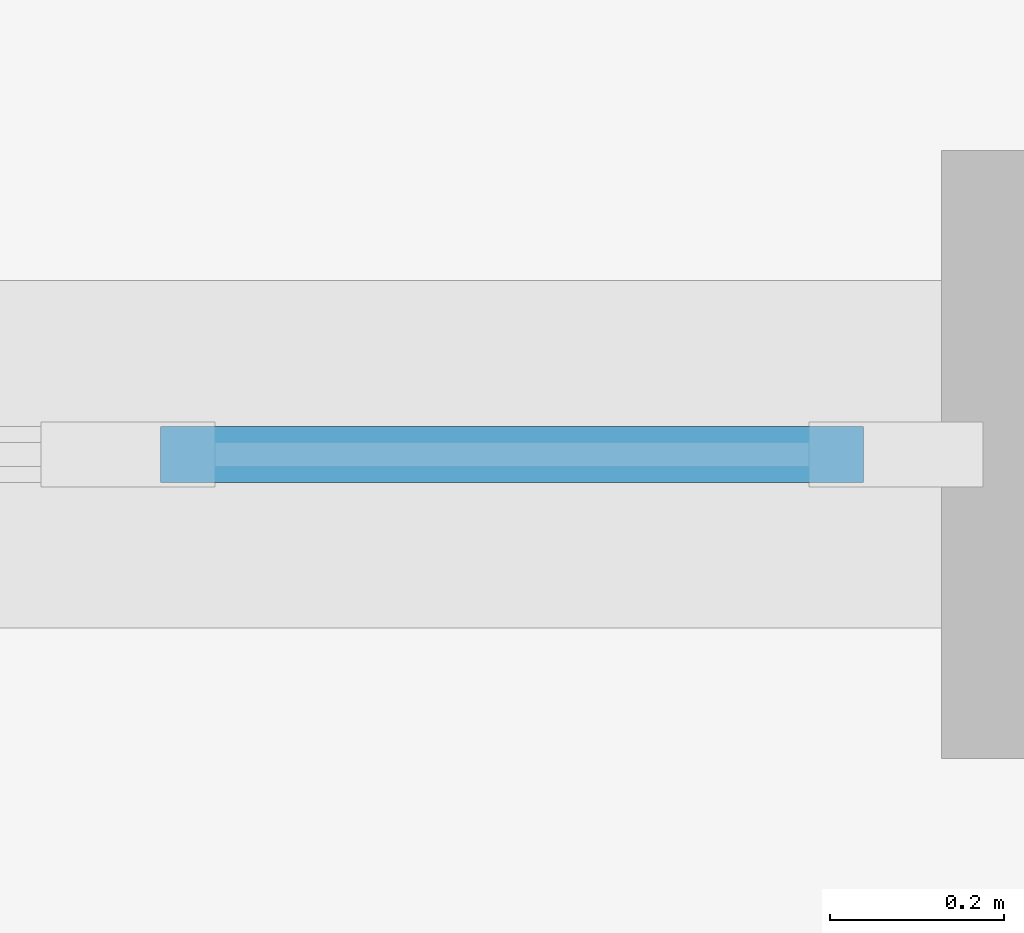
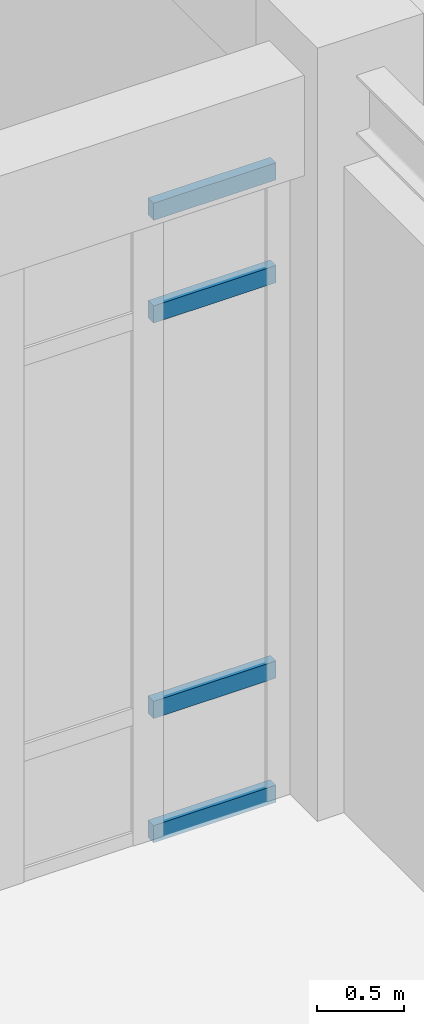
# One storey, part 27 of 62: 4 members, 1 element without a shape of its own.
"""IFC4 building model written with IfcOpenShell, lengths in metres."""

from ifc_helpers import new_model, si_unit, direction, frame, origin, origin_2d, place, context, subcontext, project, spatial, rectangle, extrude, material, material_profile, profile_set, type_object, element, aggregate, save


model = new_model("IFC4")

# Units and contexts
model_context = context("Model", 3, precision=1e-05, world=origin(), true_north=direction((0.0, 1.0)))
body_context = subcontext(model_context, "Body", "Model", "MODEL_VIEW")
ifc_project = project(units=[si_unit("LENGTHUNIT", "METRE"), si_unit("AREAUNIT", "SQUARE_METRE"), si_unit("VOLUMEUNIT", "CUBIC_METRE"), si_unit("PLANEANGLEUNIT", "RADIAN"), si_unit("MASSUNIT", "GRAM", prefix="KILO")], contexts=[model_context])

# Site, building, storey
site_placement = place(None, origin())
site = spatial("IfcSite", under=ifc_project, at=site_placement, CompositionType="ELEMENT")
building_placement = place(site_placement, origin())
building = spatial("IfcBuilding", under=site, at=building_placement, Name="Tarnveldt Square Police Headquarters", CompositionType="ELEMENT")
storey_placement = place(building_placement, origin())
storey = spatial("IfcBuildingStorey", under=building, at=storey_placement, Name="L00", CompositionType="ELEMENT", Elevation=0.0)

# Curtain wall, members
ifc_material_1 = material(Name="Triple-glazed low-e laminated vision glass", Category="glass")
curtain_wall_type = type_object("IfcCurtainWallType", Name="CW-LB-737x441", PredefinedType="USERDEFINED", material=ifc_material_1)
curtain_wall_placement = place(storey_placement, origin())
curtain_wall = element("IfcCurtainWall", 1, at=curtain_wall_placement, inside=storey, type_object=curtain_wall_type, Name="L00 Curtain Wall CW-L00-104", ObjectType="GLAZED CURTAIN WALL", PredefinedType="USERDEFINED")
ifc_material_2 = material(Name="Thermally broken anodised aluminium 6063-T6", Category="aluminium")
ifc_material_profile = material_profile(ifc_material_2, rectangle(XDim=0.06494140625, YDim=0.1201171875, at=origin_2d()), Name="CW-T65x120")
ifc_profile_set = profile_set([ifc_material_profile], Name="Thermally broken anodised aluminium 6063-T6")
member_type = type_object("IfcMemberType", Name="CWT-65x120", PredefinedType="USERDEFINED", material=ifc_profile_set)
member_1_placement = place(storey_placement, frame((104.05126953125, 96.0, 0.032470703125), z_axis=(1.0, 0.0, 0.0), x_axis=(0.0, 1.0, 0.0)))
member_1 = element("IfcMember", 2, at=member_1_placement, type_object=member_type, Name="CW-LB59 transom 8.1", ObjectType="TRANSOM", PredefinedType="USERDEFINED", context=body_context, shape_type="SweptSolid", body=[
    extrude(rectangle(XDim=0.06494140625, YDim=0.1201171875, at=origin_2d()), origin(), (0.0, 0.0, 1.0), 0.808837890625),
])
member_2_placement = place(storey_placement, frame((104.05126953125, 96.0, 0.89990234375), z_axis=(1.0, 0.0, 0.0), x_axis=(0.0, 1.0, 0.0)))
member_2 = element("IfcMember", 3, at=member_2_placement, type_object=member_type, Name="CW-LB59 transom 8.2", ObjectType="TRANSOM", PredefinedType="USERDEFINED", context=body_context, shape_type="SweptSolid", body=[
    extrude(rectangle(XDim=0.06494140625, YDim=0.1201171875, at=origin_2d()), origin(), (0.0, 0.0, 1.0), 0.808837890625),
])
member_3_placement = place(storey_placement, frame((104.05126953125, 96.0, 3.662109375), z_axis=(1.0, 0.0, 0.0), x_axis=(0.0, 1.0, 0.0)))
member_3 = element("IfcMember", 4, at=member_3_placement, type_object=member_type, Name="CW-LB59 transom 8.3", ObjectType="TRANSOM", PredefinedType="USERDEFINED", context=body_context, shape_type="SweptSolid", body=[
    extrude(rectangle(XDim=0.06494140625, YDim=0.1201171875, at=origin_2d()), origin(), (0.0, 0.0, 1.0), 0.808837890625),
])
member_4_placement = place(storey_placement, frame((104.05126953125, 96.0, 4.37939453125), z_axis=(1.0, 0.0, 0.0), x_axis=(0.0, 1.0, 0.0)))
member_4 = element("IfcMember", 5, at=member_4_placement, type_object=member_type, Name="CW-LB59 transom 8.4", ObjectType="TRANSOM", PredefinedType="USERDEFINED", context=body_context, shape_type="SweptSolid", body=[
    extrude(rectangle(XDim=0.06494140625, YDim=0.1201171875, at=origin_2d()), origin(), (0.0, 0.0, 1.0), 0.808837890625),
])
aggregate(curtain_wall, [member_1, member_2, member_3, member_4])

save(model, "model.ifc")
